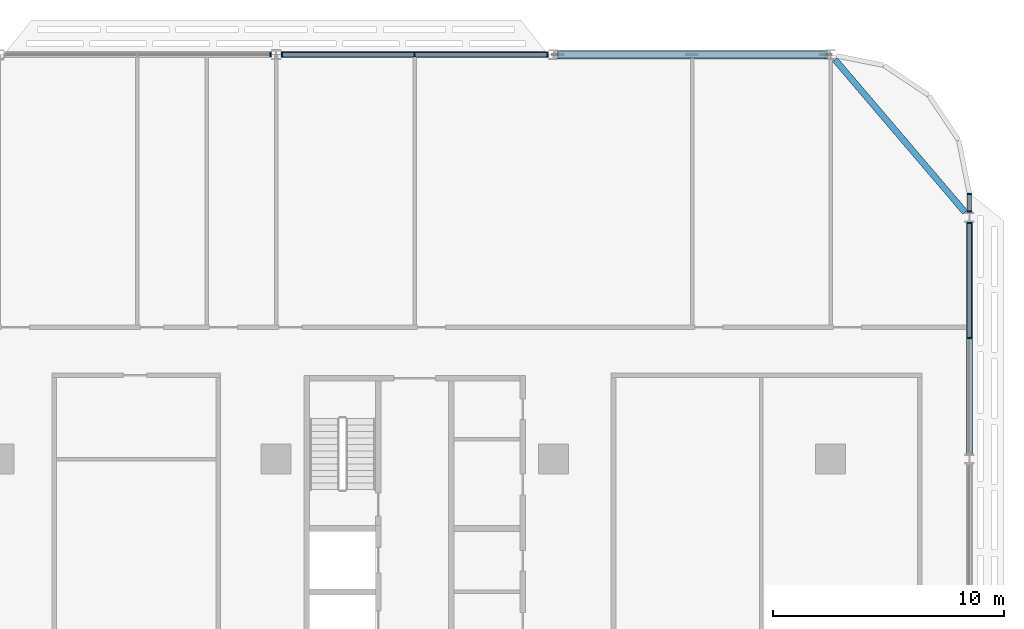
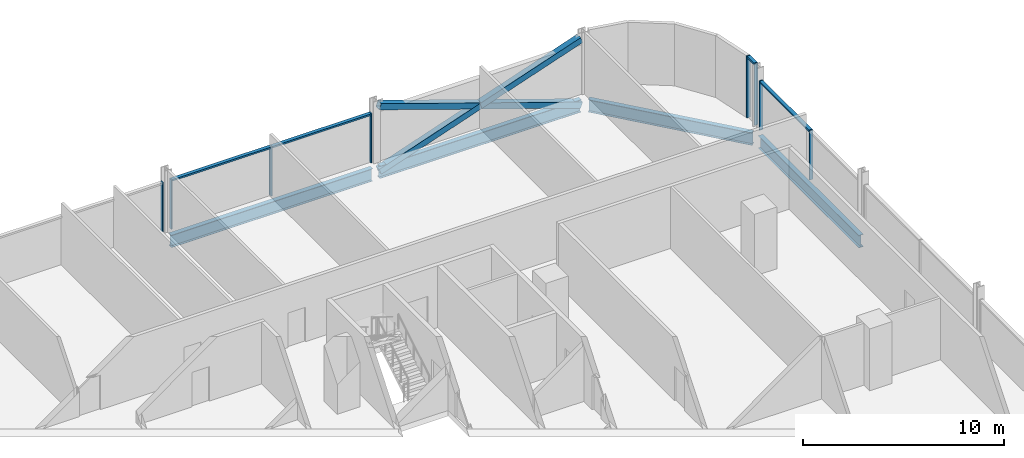
# One storey, part 10 of 29: 15 members, 4 beams, 4 elements without a shape of their own.
"""IFC4 building model written with IfcOpenShell, lengths in metres."""

from ifc_helpers import new_model, si_unit, direction, frame, origin, origin_2d, place, context, subcontext, project, spatial, rectangle, hollow_rectangle, i_section, extrude, material, material_profile, profile_set, type_object, element, aggregate, save


model = new_model("IFC4")

# Units and contexts
model_context = context("Model", 3, precision=1e-05, world=origin(), true_north=direction((0.0, 1.0)))
body_context = subcontext(model_context, "Body", "Model", "MODEL_VIEW")
ifc_project = project(units=[si_unit("LENGTHUNIT", "METRE"), si_unit("AREAUNIT", "SQUARE_METRE"), si_unit("VOLUMEUNIT", "CUBIC_METRE"), si_unit("PLANEANGLEUNIT", "RADIAN"), si_unit("MASSUNIT", "GRAM", prefix="KILO")], contexts=[model_context])

# Site, building, storey
site_placement = place(None, origin())
site = spatial("IfcSite", under=ifc_project, at=site_placement, CompositionType="ELEMENT")
building_placement = place(site_placement, origin())
building = spatial("IfcBuilding", under=site, at=building_placement, Name="Mahtab Terrace Research Tower", CompositionType="ELEMENT")
storey_placement = place(building_placement, frame((0.0, 0.0, 126.10009765625)))
storey = spatial("IfcBuildingStorey", under=building, at=storey_placement, Name="L29", CompositionType="ELEMENT", Elevation=126.10009765625)

# Members
ifc_material_1 = material(Name="Steel ASTM A500 Gr C", Category="steel")
ifc_material_profile_1 = material_profile(ifc_material_1, hollow_rectangle(XDim=0.355712890625, YDim=0.355712890625, WallThickness=0.01904296875, at=origin_2d()), Name="HSS14X14X3/4")
ifc_profile_set_1 = profile_set([ifc_material_profile_1], Name="Steel ASTM A500 Gr C")
member_type_1 = type_object("IfcMemberType", Name="HSS 14x14x3/4 brace XB141434", PredefinedType="BRACE", material=ifc_profile_set_1)
member_1_placement = place(storey_placement, frame((41.794189453125, 29.0, -0.648193359375), z_axis=(-0.946294377485, 0.0, 0.323306280699), x_axis=(0.0, -1.0, 0.0)))
element("IfcMember", 1, at=member_1_placement, inside=storey, type_object=member_type_1, Name="Exoskeleton brace L29 01 a", PredefinedType="BRACE", context=body_context, shape_type="SweptSolid", body=[
    extrude(hollow_rectangle(XDim=0.355712890625, YDim=0.355712890625, WallThickness=0.01904296875, at=origin_2d()), origin(), (0.0, 0.0, 1.0), 12.24609375),
])
for number, where, z_axis, x_axis, name in (
    (2, (30.205810546875, 29.0, -0.648193359375), (0.946288278, 0.0, 0.323324132908), (0.0, 1.0, 0.0), "Exoskeleton brace L29 01 b1"),
    (3, (36.0, 29.0, 1.33154296875), (0.946300476713, 0.0, 0.323288428146), (0.0, 1.0, 0.0), "Exoskeleton brace L29 01 b2"),
):
    element("IfcMember", number, at=place(storey_placement, frame(where, z_axis=z_axis, x_axis=x_axis)), inside=storey, type_object=member_type_1, Name=name, PredefinedType="BRACE", context=body_context, shape_type="SweptSolid", body=[
        extrude(hollow_rectangle(XDim=0.355712890625, YDim=0.355712890625, WallThickness=0.01904296875, at=origin_2d()), origin(), (0.0, 0.0, 1.0), 6.123046875),
    ])

# Curtain wall, members
ifc_material_2 = material(Name="Laboratory ribbon curtain wall")
curtain_wall_type = type_object("IfcCurtainWallType", Name="Laboratory ribbon curtain wall", PredefinedType="NOTDEFINED", material=ifc_material_2)
curtain_wall_1_placement = place(storey_placement, origin())
curtain_wall_1 = element("IfcCurtainWall", 4, at=curtain_wall_1_placement, inside=storey, type_object=curtain_wall_type, Name="EN.L29.3.4", PredefinedType="NOTDEFINED")
ifc_material_3 = material(Name="Natural anodised aluminium", Category="aluminium")
ifc_material_profile_2 = material_profile(ifc_material_3, rectangle(XDim=0.199951171875, YDim=0.06494140625, at=origin_2d()), Name="MULLION 65x200")
ifc_profile_set_2 = profile_set([ifc_material_profile_2], Name="Natural anodised aluminium")
member_type_2 = type_object("IfcMemberType", Name="Laboratory ribbon curtain wall mullion", PredefinedType="MULLION", material=ifc_profile_set_2)
member_2_placement = place(storey_placement, frame((29.74951171875, 29.0, 0.0), z_axis=(0.0, 0.0, 1.0), x_axis=(0.0, -1.0, 0.0)))
member_2 = element("IfcMember", 5, at=member_2_placement, type_object=member_type_2, Name="CWL-4 mullion 1", PredefinedType="MULLION", context=body_context, shape_type="SweptSolid", body=[
    extrude(rectangle(XDim=0.199951171875, YDim=0.06494140625, at=origin_2d()), origin(), (0.0, 0.0, 1.0), 3.0029296875),
])
member_3_placement = place(storey_placement, frame((24.0, 29.0, 0.0), z_axis=(0.0, 0.0, 1.0), x_axis=(0.0, -1.0, 0.0)))
member_3 = element("IfcMember", 6, at=member_3_placement, type_object=member_type_2, Name="CWL-4 mullion 2", PredefinedType="MULLION", context=body_context, shape_type="SweptSolid", body=[
    extrude(rectangle(XDim=0.199951171875, YDim=0.06494140625, at=origin_2d()), origin(), (0.0, 0.0, 1.0), 3.0029296875),
])
member_4_placement = place(storey_placement, frame((18.25048828125, 29.0, 0.0), z_axis=(0.0, 0.0, 1.0), x_axis=(0.0, -1.0, 0.0)))
member_4 = element("IfcMember", 7, at=member_4_placement, type_object=member_type_2, Name="CWL-4 mullion 3", PredefinedType="MULLION", context=body_context, shape_type="SweptSolid", body=[
    extrude(rectangle(XDim=0.199951171875, YDim=0.06494140625, at=origin_2d()), origin(), (0.0, 0.0, 1.0), 3.0029296875),
])

# Curtain wall, member
curtain_wall_2_placement = place(storey_placement, origin())
curtain_wall_2 = element("IfcCurtainWall", 8, at=curtain_wall_2_placement, inside=storey, type_object=curtain_wall_type, Name="EN.L29.3.5", PredefinedType="NOTDEFINED")
member_5_placement = place(storey_placement, frame((17.74951171875, 29.0, 0.0), z_axis=(0.0, 0.0, 1.0), x_axis=(0.0, -1.0, 0.0)))
member_5 = element("IfcMember", 9, at=member_5_placement, type_object=member_type_2, Name="CWL-4 mullion 1", PredefinedType="MULLION", context=body_context, shape_type="SweptSolid", body=[
    extrude(rectangle(XDim=0.199951171875, YDim=0.06494140625, at=origin_2d()), origin(), (0.0, 0.0, 1.0), 3.0029296875),
])
aggregate(curtain_wall_2, [member_5])

# Curtain wall, members
curtain_wall_3_placement = place(storey_placement, origin())
curtain_wall_3 = element("IfcCurtainWall", 10, at=curtain_wall_3_placement, inside=storey, type_object=curtain_wall_type, Name="EN.L29.18.38", PredefinedType="NOTDEFINED")
member_6_placement = place(storey_placement, frame((48.0, 16.73095703125, 0.0), z_axis=(0.0, 0.0, 1.0), x_axis=(-1.0, 0.0, 0.0)))
member_6 = element("IfcMember", 11, at=member_6_placement, type_object=member_type_2, Name="CWL-4 mullion 2", PredefinedType="MULLION", context=body_context, shape_type="SweptSolid", body=[
    extrude(rectangle(XDim=0.199951171875, YDim=0.06494140625, at=origin_2d()), origin(), (0.0, 0.0, 1.0), 3.0029296875),
])
member_7_placement = place(storey_placement, frame((48.0, 21.71142578125, 0.0), z_axis=(0.0, 0.0, 1.0), x_axis=(-1.0, 0.0, 0.0)))
member_7 = element("IfcMember", 12, at=member_7_placement, type_object=member_type_2, Name="CWL-4 mullion 3", PredefinedType="MULLION", context=body_context, shape_type="SweptSolid", body=[
    extrude(rectangle(XDim=0.199951171875, YDim=0.06494140625, at=origin_2d()), origin(), (0.0, 0.0, 1.0), 3.0029296875),
])

curtain_wall_4_placement = place(storey_placement, origin())
curtain_wall_4 = element("IfcCurtainWall", 13, at=curtain_wall_4_placement, inside=storey, type_object=curtain_wall_type, Name="EN.L29.18.39", PredefinedType="NOTDEFINED")
member_8_placement = place(storey_placement, frame((48.0, 22.21240234375, 0.0), z_axis=(0.0, 0.0, 1.0), x_axis=(-1.0, 0.0, 0.0)))
member_8 = element("IfcMember", 14, at=member_8_placement, type_object=member_type_2, Name="CWL-4 mullion 1", PredefinedType="MULLION", context=body_context, shape_type="SweptSolid", body=[
    extrude(rectangle(XDim=0.199951171875, YDim=0.06494140625, at=origin_2d()), origin(), (0.0, 0.0, 1.0), 3.760009765625),
])
member_9_placement = place(storey_placement, frame((48.0, 22.967529296875, 0.0), z_axis=(0.0, 0.0, 1.0), x_axis=(-1.0, 0.0, 0.0)))
member_9 = element("IfcMember", 15, at=member_9_placement, type_object=member_type_2, Name="CWL-4 mullion 2", PredefinedType="MULLION", context=body_context, shape_type="SweptSolid", body=[
    extrude(rectangle(XDim=0.199951171875, YDim=0.06494140625, at=origin_2d()), origin(), (0.0, 0.0, 1.0), 3.760009765625),
])

# Member
ifc_material_profile_3 = material_profile(ifc_material_3, rectangle(XDim=0.199951171875, YDim=0.10009765625, at=origin_2d()), Name="TRANSOM 100x200")
ifc_profile_set_3 = profile_set([ifc_material_profile_3], Name="Natural anodised aluminium")
member_type_3 = type_object("IfcMemberType", Name="Laboratory ribbon curtain wall transom", PredefinedType="USERDEFINED", material=ifc_profile_set_3)
member_10_placement = place(storey_placement, frame((29.717041015625, 29.0, 2.952880859375), z_axis=(-1.0, 0.0, 0.0), x_axis=(0.0, -1.0, 0.0)))
member_10 = element("IfcMember", 16, at=member_10_placement, type_object=member_type_3, Name="CWL-4 transom 1", ObjectType="TRANSOM", PredefinedType="USERDEFINED", context=body_context, shape_type="SweptSolid", body=[
    extrude(rectangle(XDim=0.199951171875, YDim=0.10009765625, at=origin_2d()), origin(), (0.0, 0.0, 1.0), 5.6845703125),
])

member_11_placement = place(storey_placement, frame((23.967529296875, 29.0, 2.952880859375), z_axis=(-1.0, 0.0, 0.0), x_axis=(0.0, -1.0, 0.0)))
member_11 = element("IfcMember", 17, at=member_11_placement, type_object=member_type_3, Name="CWL-4 transom 2", ObjectType="TRANSOM", PredefinedType="USERDEFINED", context=body_context, shape_type="SweptSolid", body=[
    extrude(rectangle(XDim=0.199951171875, YDim=0.10009765625, at=origin_2d()), origin(), (0.0, 0.0, 1.0), 5.6845703125),
])

aggregate(curtain_wall_1, [member_2, member_3, member_4, member_10, member_11])

member_12_placement = place(storey_placement, frame((48.0, 16.763427734375, 2.952880859375), z_axis=(0.0, 1.0, 0.0), x_axis=(-1.0, 0.0, 0.0)))
member_12 = element("IfcMember", 18, at=member_12_placement, type_object=member_type_3, Name="CWL-4 transom 2", ObjectType="TRANSOM", PredefinedType="USERDEFINED", context=body_context, shape_type="SweptSolid", body=[
    extrude(rectangle(XDim=0.199951171875, YDim=0.10009765625, at=origin_2d()), origin(), (0.0, 0.0, 1.0), 4.91552734375),
])

aggregate(curtain_wall_3, [member_6, member_7, member_12])

member_13_placement = place(storey_placement, frame((48.0, 22.2451171875, 3.7099609375), z_axis=(0.0, 1.0, 0.0), x_axis=(-1.0, 0.0, 0.0)))
member_13 = element("IfcMember", 19, at=member_13_placement, type_object=member_type_3, Name="CWL-4 transom 1", ObjectType="TRANSOM", PredefinedType="USERDEFINED", context=body_context, shape_type="SweptSolid", body=[
    extrude(rectangle(XDim=0.199951171875, YDim=0.10009765625, at=origin_2d()), origin(), (0.0, 0.0, 1.0), 0.68994140625),
])

aggregate(curtain_wall_4, [member_8, member_9, member_13])

# Beams
ifc_material_4 = material(Name="Steel ASTM A992 Gr 50", Category="steel")
ifc_material_profile_4 = material_profile(ifc_material_4, i_section(OverallWidth=0.2666015625, OverallDepth=0.7568359375, WebThickness=0.013916015625, FlangeThickness=0.019287109375, at=origin_2d()), Name="W30X108")
ifc_profile_set_4 = profile_set([ifc_material_profile_4], Name="Steel ASTM A992 Gr 50")
beam_type = type_object("IfcBeamType", Name="W30x108 beam BS30108", PredefinedType="BEAM", material=ifc_profile_set_4)
for number, where, z_axis, x_axis, name in (
    (20, (41.794189453125, 29.0, -0.718505859375), (-1.0, 0.0, 0.0), (0.0, -1.0, 0.0), "Spandrel beam L29 01"),
    (21, (29.794189453125, 29.0, -0.718505859375), (-1.0, 0.0, 0.0), (0.0, -1.0, 0.0), "Spandrel beam L29 02"),
):
    element("IfcBeam", number, at=place(storey_placement, frame(where, z_axis=z_axis, x_axis=x_axis)), inside=storey, type_object=beam_type, Name=name, PredefinedType="BEAM", context=body_context, shape_type="SweptSolid", body=[
        extrude(i_section(OverallWidth=0.2666015625, OverallDepth=0.7568359375, WebThickness=0.013916015625, FlangeThickness=0.019287109375, at=origin_2d()), origin(), (0.0, 0.0, 1.0), 11.58837890625),
    ])
beam_1_placement = place(storey_placement, frame((48.0, 11.717041015625, -0.718505859375), z_axis=(0.0, 1.0, 0.0), x_axis=(-1.0, 0.0, 0.0)))
element("IfcBeam", 22, at=beam_1_placement, inside=storey, type_object=beam_type, Name="Spandrel beam L29 24", PredefinedType="BEAM", context=body_context, shape_type="SweptSolid", body=[
    extrude(i_section(OverallWidth=0.2666015625, OverallDepth=0.7568359375, WebThickness=0.013916015625, FlangeThickness=0.019287109375, at=origin_2d()), origin(), (0.0, 0.0, 1.0), 10.02783203125),
])
beam_2_placement = place(storey_placement, frame((47.81494140625, 22.17919921875, -0.718505859375), z_axis=(-0.648764091423, 0.760989588417, 0.0), x_axis=(-0.760989588417, -0.648764091423, 0.0)))
element("IfcBeam", 23, at=beam_2_placement, inside=storey, type_object=beam_type, Name="Spandrel beam L29 25", PredefinedType="BEAM", context=body_context, shape_type="SweptSolid", body=[
    extrude(i_section(OverallWidth=0.2666015625, OverallDepth=0.7568359375, WebThickness=0.013916015625, FlangeThickness=0.019287109375, at=origin_2d()), origin(), (0.0, 0.0, 1.0), 8.677978515625),
])

save(model, "model.ifc")
